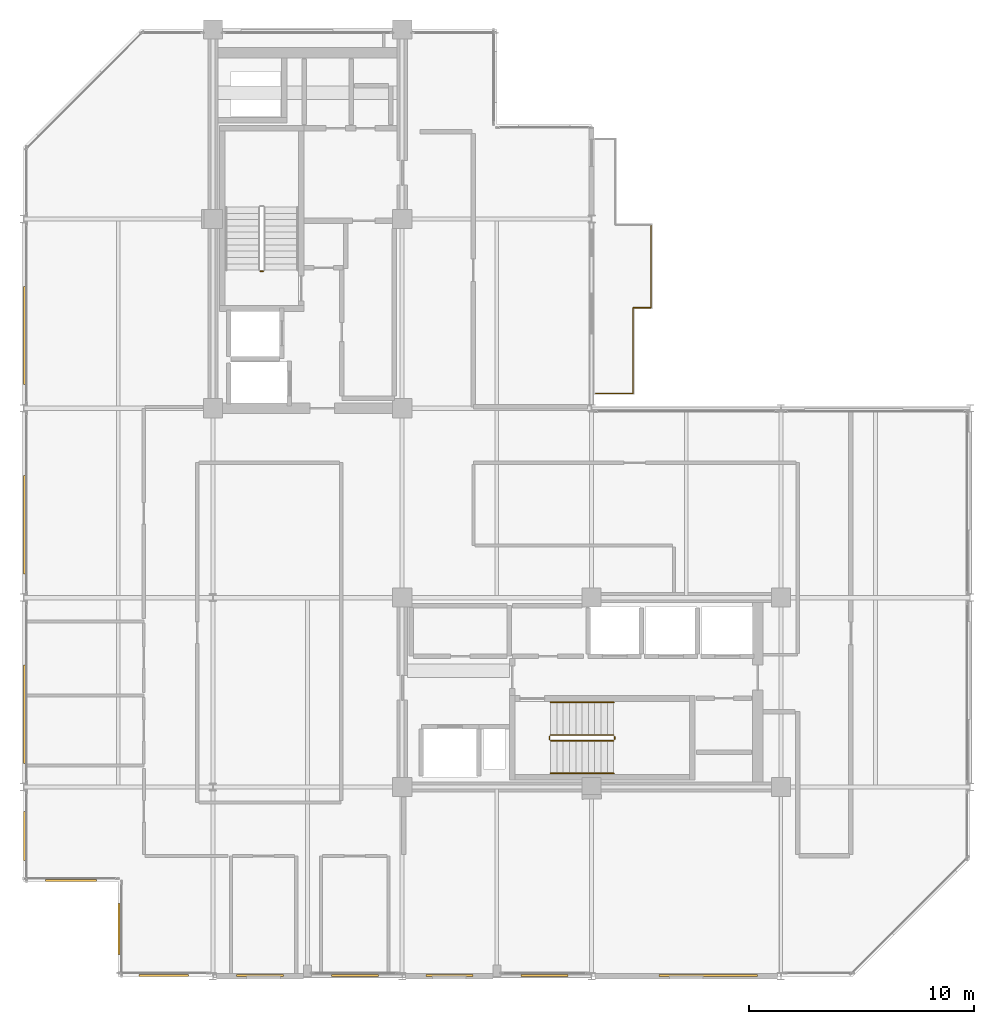
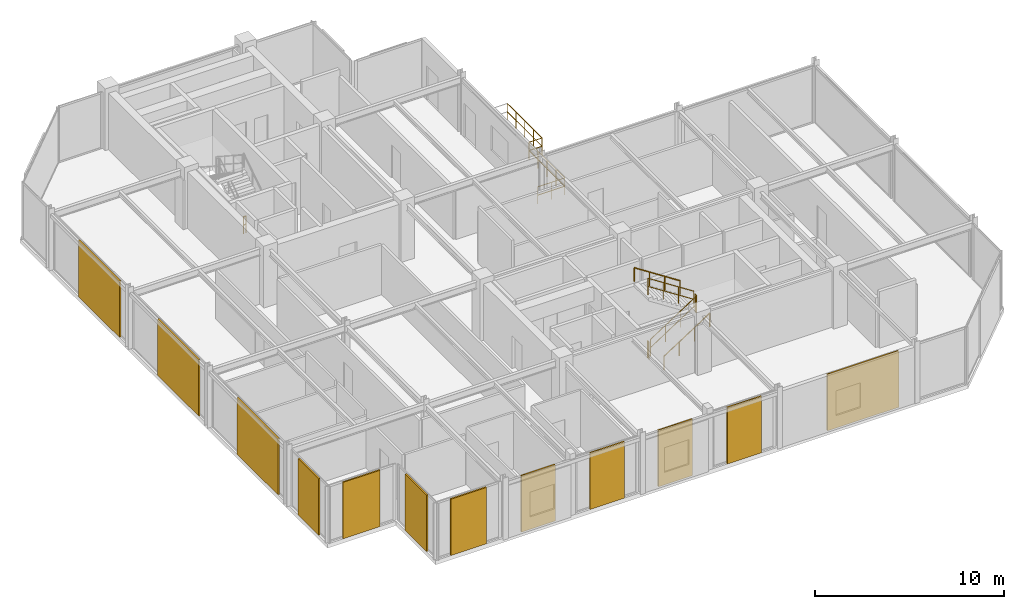
# One storey, part 24 of 26: 12 coverings, 11 railings.
"""IFC4 building model written with IfcOpenShell, lengths in metres."""

from ifc_helpers import new_model, si_unit, direction, frame, origin, origin_2d, place, context, subcontext, project, spatial, rectangle, circle, extrude, material, layer, layer_set, type_object, element, save


model = new_model("IFC4")

# Units and contexts
model_context = context("Model", 3, precision=1e-05, world=origin(), true_north=direction((0.0, 1.0)))
body_context = subcontext(model_context, "Body", "Model", "MODEL_VIEW")
ifc_project = project(units=[si_unit("LENGTHUNIT", "METRE"), si_unit("AREAUNIT", "SQUARE_METRE"), si_unit("VOLUMEUNIT", "CUBIC_METRE"), si_unit("PLANEANGLEUNIT", "RADIAN"), si_unit("MASSUNIT", "GRAM", prefix="KILO")], contexts=[model_context])

# Site, building, storey
site_placement = place(None, origin())
site = spatial("IfcSite", under=ifc_project, at=site_placement, CompositionType="ELEMENT")
building_placement = place(site_placement, origin())
building = spatial("IfcBuilding", under=site, at=building_placement, Name="Nerrivon Quay Data Exchange", CompositionType="ELEMENT")
storey_placement = place(building_placement, frame((0.0, 0.0, 282.199951171875)))
storey = spatial("IfcBuildingStorey", under=building, at=storey_placement, Name="L67", CompositionType="ELEMENT", Elevation=282.199951171875)

# Coverings
ifc_material_1 = material(Name="Architectural terracotta ceramic", Category="masonry")
ifc_layer = layer(ifc_material_1, 0.090087890625)
ifc_layer_set = layer_set([ifc_layer], Name="Architectural terracotta ceramic")
covering_type = type_object("IfcCoveringType", Name="COV-SCR-TERR", PredefinedType="CLADDING", material=ifc_layer_set)
covering_1_placement = place(storey_placement, frame((30.37060546875, 0.044921875, 0.0), z_axis=(0.0, 0.0, 1.0), x_axis=(-1.0, 0.0, 0.0)))
element("IfcCovering", 1, at=covering_1_placement, inside=storey, type_object=covering_type, Name="L67 Perforated Terracotta SOLAR SCREEN Cassette", PredefinedType="CLADDING", context=body_context, shape_type="SweptSolid", body=[
    extrude(rectangle(XDim=4.367919921875, YDim=0.090087890625, at=origin_2d()), origin(), (0.0, 0.0, 1.0), 3.64990234375),
])
for number, where, z_axis, x_axis, name in (
    (2, (23.109619140625, 0.044921875, 0.0), (0.0, 0.0, 1.0), (-1.0, 0.0, 0.0), "L67 Perforated Terracotta SOLAR SCREEN Cassette"),
    (3, (18.890380859375, 0.044921875, 0.0), (0.0, 0.0, 1.0), (-1.0, 0.0, 0.0), "L67 Perforated Terracotta SOLAR SCREEN Cassette"),
    (4, (14.709716796875, 0.044921875, 0.0), (0.0, 0.0, 1.0), (-1.0, 0.0, 0.0), "L67 Perforated Terracotta SOLAR SCREEN Cassette"),
    (5, (10.490234375, 0.044921875, 0.0), (0.0, 0.0, 1.0), (-1.0, 0.0, 0.0), "L67 Perforated Terracotta SOLAR SCREEN Cassette"),
):
    element("IfcCovering", number, at=place(storey_placement, frame(where, z_axis=z_axis, x_axis=x_axis)), inside=storey, type_object=covering_type, Name=name, PredefinedType="CLADDING", context=body_context, shape_type="SweptSolid", body=[
        extrude(rectangle(XDim=2.090087890625, YDim=0.090087890625, at=origin_2d()), origin(), (0.0, 0.0, 1.0), 3.64990234375),
    ])
covering_2_placement = place(storey_placement, frame((6.222412109375, 0.044921875, 0.0), z_axis=(0.0, 0.0, 1.0), x_axis=(-1.0, 0.0, 0.0)))
element("IfcCovering", 6, at=covering_2_placement, inside=storey, type_object=covering_type, Name="L67 Perforated Terracotta SOLAR SCREEN Cassette", PredefinedType="CLADDING", context=body_context, shape_type="SweptSolid", body=[
    extrude(rectangle(XDim=2.18408203125, YDim=0.090087890625, at=origin_2d()), origin(), (0.0, 0.0, 1.0), 3.64990234375),
])
for number, where, z_axis, x_axis, name in (
    (7, (4.2451171875, 2.10009765625, 0.0), (0.0, 0.0, 1.0), (0.0, 1.0, 0.0), "L67 Perforated Terracotta SOLAR SCREEN Cassette"),
    (8, (2.10009765625, 4.2451171875, 0.0), (0.0, 0.0, 1.0), (-1.0, 0.0, 0.0), "L67 Perforated Terracotta SOLAR SCREEN Cassette"),
):
    element("IfcCovering", number, at=place(storey_placement, frame(where, z_axis=z_axis, x_axis=x_axis)), inside=storey, type_object=covering_type, Name=name, PredefinedType="CLADDING", context=body_context, shape_type="SweptSolid", body=[
        extrude(rectangle(XDim=2.26806640625, YDim=0.090087890625, at=origin_2d()), origin(), (0.0, 0.0, 1.0), 3.64990234375),
    ])
covering_3_placement = place(storey_placement, frame((0.044921875, 6.21826171875, 0.0), z_axis=(0.0, 0.0, 1.0), x_axis=(0.0, 1.0, 0.0)))
element("IfcCovering", 9, at=covering_3_placement, inside=storey, type_object=covering_type, Name="L67 Perforated Terracotta SOLAR SCREEN Cassette", PredefinedType="CLADDING", context=body_context, shape_type="SweptSolid", body=[
    extrude(rectangle(XDim=2.179931640625, YDim=0.090087890625, at=origin_2d()), origin(), (0.0, 0.0, 1.0), 3.64990234375),
])
for number, where, z_axis, x_axis, name in (
    (10, (0.044921875, 11.631103515625, 0.0), (0.0, 0.0, 1.0), (0.0, 1.0, 0.0), "L67 Perforated Terracotta SOLAR SCREEN Cassette"),
    (11, (0.044921875, 20.03125, 0.0), (0.0, 0.0, 1.0), (0.0, 1.0, 0.0), "L67 Perforated Terracotta SOLAR SCREEN Cassette"),
    (12, (0.044921875, 28.43115234375, 0.0), (0.0, 0.0, 1.0), (0.0, 1.0, 0.0), "L67 Perforated Terracotta SOLAR SCREEN Cassette"),
):
    element("IfcCovering", number, at=place(storey_placement, frame(where, z_axis=z_axis, x_axis=x_axis)), inside=storey, type_object=covering_type, Name=name, PredefinedType="CLADDING", context=body_context, shape_type="SweptSolid", body=[
        extrude(rectangle(XDim=4.35888671875, YDim=0.090087890625, at=origin_2d()), origin(), (0.0, 0.0, 1.0), 3.64990234375),
    ])

# Railings
ifc_material_2 = material(Name="Steel Grade C350L0 (350 MPa)", Category="steel")
railing_type_1 = type_object("IfcRailingType", Name="RAIL-GUARD-GR2", PredefinedType="BALUSTRADE", material=ifc_material_2)
railing_1_placement = place(storey_placement, frame((27.0400390625, 29.659912109375, 0.0)))
element("IfcRailing", 13, at=railing_1_placement, inside=storey, type_object=railing_type_1, Name="L67 Verandah Balcony Guard 1.1 1", PredefinedType="BALUSTRADE", context=body_context, shape_type="SweptSolid", body=[
    extrude(circle(Radius=0.02392578125, at=origin_2d()), frame((0.0, 0.0, 1.09619140625), z_axis=(0.0, -1.0, 0.0), x_axis=(1.0, 0.0, 0.0)), (0.0, 0.0, 1.0), 3.7998046875),
    extrude(circle(Radius=0.02392578125, at=origin_2d()), frame((0.0, 0.0, 0.56005859375), z_axis=(0.0, -1.0, 0.0), x_axis=(1.0, 0.0, 0.0)), (0.0, 0.0, 1.0), 3.7998046875),
    extrude(circle(Radius=0.02099609375, at=origin_2d()), origin(), (0.0, 0.0, 1.0), 1.072021484375),
    extrude(circle(Radius=0.02099609375, at=origin_2d()), frame((0.0, -0.949951171875, 0.0)), (0.0, 0.0, 1.0), 1.072021484375),
    extrude(circle(Radius=0.02099609375, at=origin_2d()), frame((0.0, -1.89990234375, 0.0)), (0.0, 0.0, 1.0), 1.072021484375),
    extrude(circle(Radius=0.02099609375, at=origin_2d()), frame((0.0, -2.849853515625, 0.0)), (0.0, 0.0, 1.0), 1.072021484375),
    extrude(circle(Radius=0.02099609375, at=origin_2d()), frame((0.0, -3.7998046875, 0.0)), (0.0, 0.0, 1.0), 1.072021484375),
])
railing_2_placement = place(storey_placement, frame((27.0400390625, 25.860107421875, 0.0)))
element("IfcRailing", 14, at=railing_2_placement, inside=storey, type_object=railing_type_1, Name="L67 Verandah Balcony Guard 1.2 1", PredefinedType="BALUSTRADE", context=body_context, shape_type="SweptSolid", body=[
    extrude(circle(Radius=0.02392578125, at=origin_2d()), frame((0.0, 0.0, 1.09619140625), z_axis=(-1.0, 0.0, 0.0), x_axis=(0.0, -1.0, 0.0)), (0.0, 0.0, 1.0), 1.66015625),
    extrude(circle(Radius=0.02392578125, at=origin_2d()), frame((0.0, 0.0, 0.56005859375), z_axis=(-1.0, 0.0, 0.0), x_axis=(0.0, -1.0, 0.0)), (0.0, 0.0, 1.0), 1.66015625),
    extrude(circle(Radius=0.02099609375, at=origin_2d()), origin(), (0.0, 0.0, 1.0), 1.072021484375),
    extrude(circle(Radius=0.02099609375, at=origin_2d()), frame((-0.830078125, 0.0, 0.0)), (0.0, 0.0, 1.0), 1.072021484375),
    extrude(circle(Radius=0.02099609375, at=origin_2d()), frame((-1.66015625, 0.0, 0.0)), (0.0, 0.0, 1.0), 1.072021484375),
])
railing_3_placement = place(storey_placement, frame((27.840087890625, 33.340087890625, 0.0)))
element("IfcRailing", 15, at=railing_3_placement, inside=storey, type_object=railing_type_1, Name="L67 Verandah Balcony Guard 1.6 1", PredefinedType="BALUSTRADE", context=body_context, shape_type="SweptSolid", body=[
    extrude(circle(Radius=0.02392578125, at=origin_2d()), frame((0.0, 0.0, 1.09619140625), z_axis=(0.0, -1.0, 0.0), x_axis=(1.0, 0.0, 0.0)), (0.0, 0.0, 1.0), 3.68017578125),
    extrude(circle(Radius=0.02392578125, at=origin_2d()), frame((0.0, 0.0, 0.56005859375), z_axis=(0.0, -1.0, 0.0), x_axis=(1.0, 0.0, 0.0)), (0.0, 0.0, 1.0), 3.68017578125),
    extrude(circle(Radius=0.02099609375, at=origin_2d()), origin(), (0.0, 0.0, 1.0), 1.072021484375),
    extrude(circle(Radius=0.02099609375, at=origin_2d()), frame((0.0, -0.919921875, 0.0)), (0.0, 0.0, 1.0), 1.072021484375),
    extrude(circle(Radius=0.02099609375, at=origin_2d()), frame((0.0, -1.840087890625, 0.0)), (0.0, 0.0, 1.0), 1.072021484375),
    extrude(circle(Radius=0.02099609375, at=origin_2d()), frame((0.0, -2.76025390625, 0.0)), (0.0, 0.0, 1.0), 1.072021484375),
    extrude(circle(Radius=0.02099609375, at=origin_2d()), frame((0.0, -3.68017578125, 0.0)), (0.0, 0.0, 1.0), 1.072021484375),
])
railing_4_placement = place(storey_placement, frame((27.840087890625, 29.659912109375, 0.0)))
element("IfcRailing", 16, at=railing_4_placement, inside=storey, type_object=railing_type_1, Name="L67 Verandah Balcony Guard 1.7 1", PredefinedType="BALUSTRADE", context=body_context, shape_type="SweptSolid", body=[
    extrude(circle(Radius=0.02392578125, at=origin_2d()), frame((0.0, 0.0, 1.09619140625), z_axis=(-1.0, 0.0, 0.0), x_axis=(0.0, -1.0, 0.0)), (0.0, 0.0, 1.0), 0.800048828125),
    extrude(circle(Radius=0.02392578125, at=origin_2d()), frame((0.0, 0.0, 0.56005859375), z_axis=(-1.0, 0.0, 0.0), x_axis=(0.0, -1.0, 0.0)), (0.0, 0.0, 1.0), 0.800048828125),
    extrude(circle(Radius=0.02099609375, at=origin_2d()), origin(), (0.0, 0.0, 1.0), 1.072021484375),
    extrude(circle(Radius=0.02099609375, at=origin_2d()), frame((-0.800048828125, 0.0, 0.0)), (0.0, 0.0, 1.0), 1.072021484375),
])
railing_type_2 = type_object("IfcRailingType", Name="RAIL-HAND-HR1", PredefinedType="HANDRAIL", material=ifc_material_2)
railing_5_placement = place(storey_placement, frame((23.3798828125, 9.0, 0.181884765625)))
element("IfcRailing", 17, at=railing_5_placement, inside=storey, type_object=railing_type_2, Name="L67 ST02 stair handrail 1", PredefinedType="HANDRAIL", context=body_context, shape_type="SweptSolid", body=[
    extrude(circle(Radius=0.02392578125, at=origin_2d()), frame((0.0, 0.0, 0.8759765625), z_axis=(0.838705829183, 0.0, 0.544584733623), x_axis=(0.0, 1.0, 0.0)), (0.0, 0.0, 1.0), 3.338623046875),
    extrude(circle(Radius=0.02099609375, at=origin_2d()), origin(), (0.0, 0.0, 1.0), 0.851806640625),
    extrude(circle(Radius=0.02099609375, at=origin_2d()), frame((0.933349609375, 0.0, 0.60595703125)), (0.0, 0.0, 1.0), 0.851806640625),
    extrude(circle(Radius=0.02099609375, at=origin_2d()), frame((1.86669921875, 0.0, 1.212158203125)), (0.0, 0.0, 1.0), 0.851806640625),
    extrude(circle(Radius=0.02099609375, at=origin_2d()), frame((2.800048828125, 0.0, 1.818115234375)), (0.0, 0.0, 1.0), 0.851806640625),
])
railing_6_placement = place(storey_placement, frame((26.179931640625, 12.14990234375, 2.181884765625)))
element("IfcRailing", 18, at=railing_6_placement, inside=storey, type_object=railing_type_2, Name="L67 ST02 stair handrail 2", PredefinedType="HANDRAIL", context=body_context, shape_type="SweptSolid", body=[
    extrude(circle(Radius=0.02392578125, at=origin_2d()), frame((0.0, 0.0, 0.8759765625), z_axis=(-0.838705829183, 0.0, 0.544584733623), x_axis=(0.0, -1.0, 0.0)), (0.0, 0.0, 1.0), 3.338623046875),
    extrude(circle(Radius=0.02099609375, at=origin_2d()), origin(), (0.0, 0.0, 1.0), 0.851806640625),
    extrude(circle(Radius=0.02099609375, at=origin_2d()), frame((-0.933349609375, 0.0, 0.60595703125)), (0.0, 0.0, 1.0), 0.851806640625),
    extrude(circle(Radius=0.02099609375, at=origin_2d()), frame((-1.86669921875, 0.0, 1.212158203125)), (0.0, 0.0, 1.0), 0.851806640625),
    extrude(circle(Radius=0.02099609375, at=origin_2d()), frame((-2.800048828125, 0.0, 1.818115234375)), (0.0, 0.0, 1.0), 0.851806640625),
])
railing_type_3 = type_object("IfcRailingType", Name="RAIL-STAIR-GR1", PredefinedType="BALUSTRADE", material=ifc_material_2)
railing_7_placement = place(storey_placement, frame((10.64990234375, 31.280029296875, 0.0)))
element("IfcRailing", 19, at=railing_7_placement, inside=storey, type_object=railing_type_3, Name="L67 ST01 stair guard 4", PredefinedType="BALUSTRADE", context=body_context, shape_type="SweptSolid", body=[
    extrude(circle(Radius=0.02392578125, at=origin_2d()), frame((0.0, 0.0, 1.076171875), z_axis=(-1.0, 0.0, 0.0), x_axis=(0.0, -1.0, 0.0)), (0.0, 0.0, 1.0), 0.14990234375),
    extrude(circle(Radius=0.02392578125, at=origin_2d()), frame((0.0, 0.0, 0.550048828125), z_axis=(-1.0, 0.0, 0.0), x_axis=(0.0, -1.0, 0.0)), (0.0, 0.0, 1.0), 0.14990234375),
    extrude(circle(Radius=0.02099609375, at=origin_2d()), origin(), (0.0, 0.0, 1.0), 1.052001953125),
    extrude(circle(Radius=0.02099609375, at=origin_2d()), frame((-0.14990234375, 0.0, 0.0)), (0.0, 0.0, 1.0), 1.052001953125),
])
railing_8_placement = place(storey_placement, frame((23.3798828125, 10.449951171875, 0.181884765625)))
element("IfcRailing", 20, at=railing_8_placement, inside=storey, type_object=railing_type_3, Name="L67 ST02 stair guard 1", PredefinedType="BALUSTRADE", context=body_context, shape_type="SweptSolid", body=[
    extrude(circle(Radius=0.02392578125, at=origin_2d()), frame((0.0, 0.0, 1.076171875), z_axis=(0.838705829183, 0.0, 0.544584733623), x_axis=(0.0, 1.0, 0.0)), (0.0, 0.0, 1.0), 3.338623046875),
    extrude(circle(Radius=0.02392578125, at=origin_2d()), frame((0.0, 0.0, 0.550048828125), z_axis=(0.838705829183, 0.0, 0.544584733623), x_axis=(0.0, 1.0, 0.0)), (0.0, 0.0, 1.0), 3.338623046875),
    extrude(circle(Radius=0.02099609375, at=origin_2d()), origin(), (0.0, 0.0, 1.0), 1.052001953125),
    extrude(circle(Radius=0.02099609375, at=origin_2d()), frame((0.933349609375, 0.0, 0.60595703125)), (0.0, 0.0, 1.0), 1.052001953125),
    extrude(circle(Radius=0.02099609375, at=origin_2d()), frame((1.86669921875, 0.0, 1.212158203125)), (0.0, 0.0, 1.0), 1.052001953125),
    extrude(circle(Radius=0.02099609375, at=origin_2d()), frame((2.800048828125, 0.0, 1.818115234375)), (0.0, 0.0, 1.0), 1.052001953125),
])
railing_9_placement = place(storey_placement, frame((26.22998046875, 10.5, 2.0)))
element("IfcRailing", 21, at=railing_9_placement, inside=storey, type_object=railing_type_3, Name="L67 ST02 stair guard 2", PredefinedType="BALUSTRADE", context=body_context, shape_type="SweptSolid", body=[
    extrude(circle(Radius=0.02392578125, at=origin_2d()), frame((0.0, 0.0, 1.076171875), z_axis=(0.0, 1.0, 0.0), x_axis=(-1.0, 0.0, 0.0)), (0.0, 0.0, 1.0), 0.14990234375),
    extrude(circle(Radius=0.02392578125, at=origin_2d()), frame((0.0, 0.0, 0.550048828125), z_axis=(0.0, 1.0, 0.0), x_axis=(-1.0, 0.0, 0.0)), (0.0, 0.0, 1.0), 0.14990234375),
    extrude(circle(Radius=0.02099609375, at=origin_2d()), origin(), (0.0, 0.0, 1.0), 1.052001953125),
    extrude(circle(Radius=0.02099609375, at=origin_2d()), frame((0.0, 0.14990234375, 0.0)), (0.0, 0.0, 1.0), 1.052001953125),
])
railing_10_placement = place(storey_placement, frame((26.179931640625, 10.699951171875, 2.181884765625)))
element("IfcRailing", 22, at=railing_10_placement, inside=storey, type_object=railing_type_3, Name="L67 ST02 stair guard 3", PredefinedType="BALUSTRADE", context=body_context, shape_type="SweptSolid", body=[
    extrude(circle(Radius=0.02392578125, at=origin_2d()), frame((0.0, 0.0, 1.076171875), z_axis=(-0.838705829183, 0.0, 0.544584733623), x_axis=(0.0, -1.0, 0.0)), (0.0, 0.0, 1.0), 3.338623046875),
    extrude(circle(Radius=0.02392578125, at=origin_2d()), frame((0.0, 0.0, 0.550048828125), z_axis=(-0.838705829183, 0.0, 0.544584733623), x_axis=(0.0, -1.0, 0.0)), (0.0, 0.0, 1.0), 3.338623046875),
    extrude(circle(Radius=0.02099609375, at=origin_2d()), origin(), (0.0, 0.0, 1.0), 1.052001953125),
    extrude(circle(Radius=0.02099609375, at=origin_2d()), frame((-0.933349609375, 0.0, 0.60595703125)), (0.0, 0.0, 1.0), 1.052001953125),
    extrude(circle(Radius=0.02099609375, at=origin_2d()), frame((-1.86669921875, 0.0, 1.212158203125)), (0.0, 0.0, 1.0), 1.052001953125),
    extrude(circle(Radius=0.02099609375, at=origin_2d()), frame((-2.800048828125, 0.0, 1.818115234375)), (0.0, 0.0, 1.0), 1.052001953125),
])
railing_11_placement = place(storey_placement, frame((23.330078125, 10.5, 0.0)))
element("IfcRailing", 23, at=railing_11_placement, inside=storey, type_object=railing_type_3, Name="L67 ST02 stair guard 4", PredefinedType="BALUSTRADE", context=body_context, shape_type="SweptSolid", body=[
    extrude(circle(Radius=0.02392578125, at=origin_2d()), frame((0.0, 0.0, 1.076171875), z_axis=(0.0, 1.0, 0.0), x_axis=(-1.0, 0.0, 0.0)), (0.0, 0.0, 1.0), 0.14990234375),
    extrude(circle(Radius=0.02392578125, at=origin_2d()), frame((0.0, 0.0, 0.550048828125), z_axis=(0.0, 1.0, 0.0), x_axis=(-1.0, 0.0, 0.0)), (0.0, 0.0, 1.0), 0.14990234375),
    extrude(circle(Radius=0.02099609375, at=origin_2d()), origin(), (0.0, 0.0, 1.0), 1.052001953125),
    extrude(circle(Radius=0.02099609375, at=origin_2d()), frame((0.0, 0.14990234375, 0.0)), (0.0, 0.0, 1.0), 1.052001953125),
])

save(model, "model.ifc")
